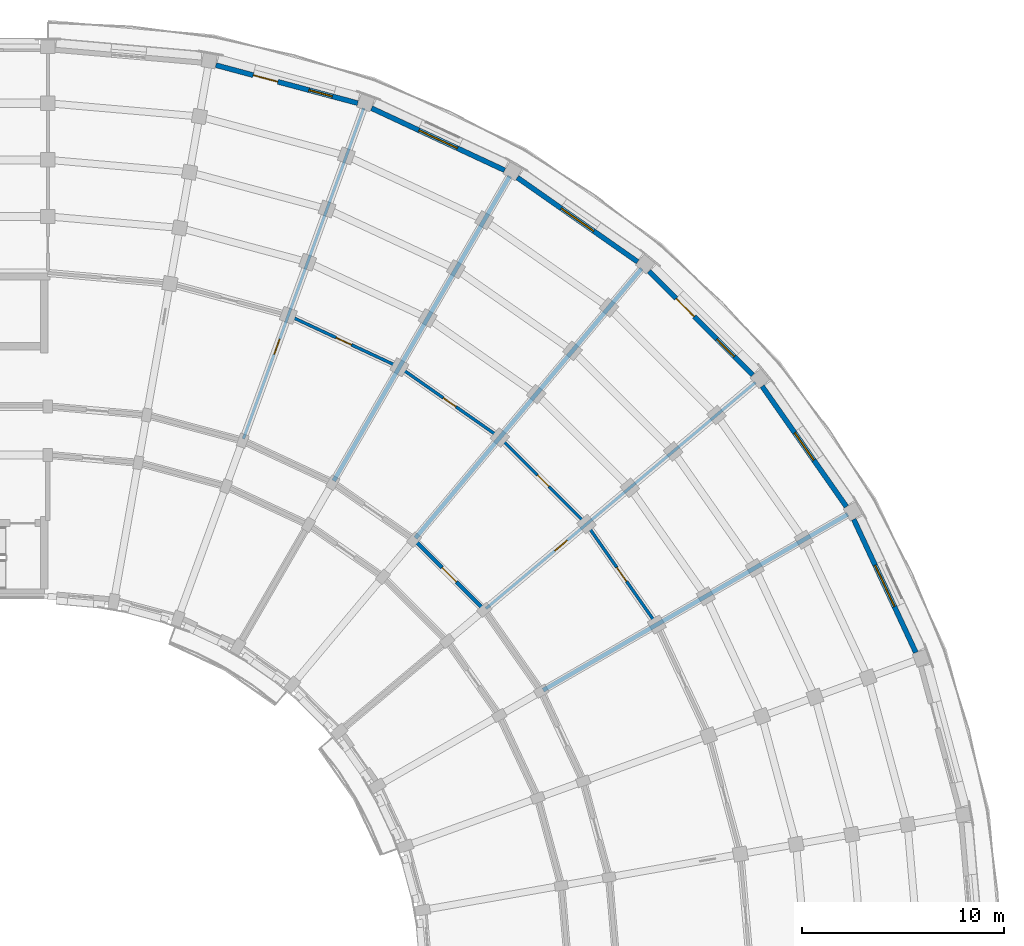
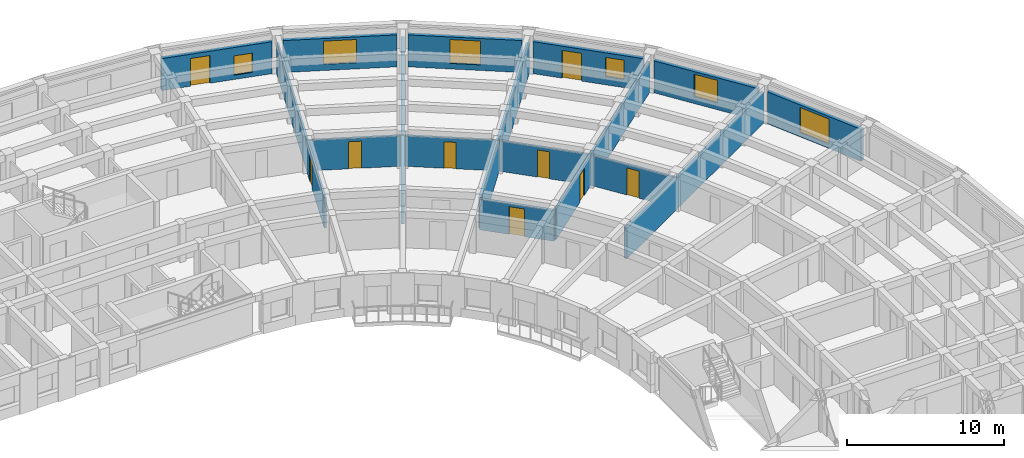
# One storey, part 36 of 54: 16 walls, 9 doors, 6 windows, 15 openings.
"""IFC4 building model written with IfcOpenShell, lengths in metres."""

import ifcopenshell
import ifcopenshell.guid

model = None  # the IFC model being written
_history = None  # IfcOwnerHistory: only IFC2X3 demands one
_inside = {}  # id of a spatial element -> (the spatial element, [elements in it])
_under = {}  # id of a project, library or spatial element -> (it, [spatial elements below it])
_declared = {}  # id of a project -> (the project, [libraries it declares])
_typed = {}  # id of a type object -> (the type object, [elements of that type])
_made_of = {}  # id of a material, layer set ... -> (it, [elements and type objects made of it])


def new_model(schema):
    """Start an empty IFC model of exactly this schema.

    Asked for "IFC4X3", IfcOpenShell would pick the latest addendum, in which some entities
    have other attributes; the version numbers below select the first issue.
    IFC2X3 requires an IfcOwnerHistory on every rooted entity: one is made here for all.
    """
    global model, _history
    if schema == "IFC4X3":
        model = ifcopenshell.file(schema_version=(4, 3, 0, 0))
    else:
        model = ifcopenshell.file(schema=schema)
    _inside.clear()
    _under.clear()
    _declared.clear()
    _typed.clear()
    _made_of.clear()
    _history = None
    if model.schema == "IFC2X3":
        org = make("IfcOrganization", Name="unknown")
        user = make(
            "IfcPersonAndOrganization",
            ThePerson=make("IfcPerson", FamilyName="unknown"),
            TheOrganization=org,
        )
        app = make(
            "IfcApplication",
            ApplicationDeveloper=org,
            Version="unknown",
            ApplicationFullName="unknown",
            ApplicationIdentifier="unknown",
        )
        _history = make(
            "IfcOwnerHistory",
            OwningUser=user,
            OwningApplication=app,
            ChangeAction="ADDED",
            CreationDate=0,
        )
    return model


def make(cls, **values):
    """One entity of the class cls with the attributes given. An attribute that is None is left unset."""
    return model.create_entity(
        cls, **{name: value for name, value in values.items() if value is not None}
    )


def rooted(cls, **values):
    """An entity with a GlobalId (a new one), such as an element, a storey or a relation."""
    return make(cls, GlobalId=ifcopenshell.guid.new(), OwnerHistory=_history, **values)


def si_unit(unit_type, name, prefix=None):
    """IfcSIUnit, for example si_unit("LENGTHUNIT", "METRE", prefix="MILLI")."""
    return make("IfcSIUnit", UnitType=unit_type, Prefix=prefix, Name=name)


def assignment(units):
    """IfcUnitAssignment: the units of a project."""
    return None if units is None else make("IfcUnitAssignment", Units=units)


def point(xyz):
    """IfcCartesianPoint."""
    return None if xyz is None else make("IfcCartesianPoint", Coordinates=xyz)


def direction(xyz):
    """IfcDirection."""
    return None if xyz is None else make("IfcDirection", DirectionRatios=xyz)


def frame(location, z_axis=None, x_axis=None):
    """IfcAxis2Placement3D, a coordinate frame: its origin and axes. An axis left out is left unset."""
    return make(
        "IfcAxis2Placement3D",
        Location=point(location),
        Axis=direction(z_axis),
        RefDirection=direction(x_axis),
    )


def frame_2d(location, x_axis=None):
    """IfcAxis2Placement2D, a coordinate frame in the plane: its origin and x axis."""
    return make(
        "IfcAxis2Placement2D", Location=point(location), RefDirection=direction(x_axis)
    )


def origin():
    """The frame at (0, 0, 0) with its axes left unset."""
    return frame((0.0, 0.0, 0.0))


def place(relative_to, where):
    """IfcLocalPlacement: puts the frame where relative to a parent placement (None: the world)."""
    return make(
        "IfcLocalPlacement", PlacementRelTo=relative_to, RelativePlacement=where
    )


def context(
    kind, dimensions, precision=None, world=None, true_north=None, identifier=None
):
    """IfcGeometricRepresentationContext, for example the 3D "Model" context."""
    return make(
        "IfcGeometricRepresentationContext",
        ContextIdentifier=identifier,
        ContextType=kind,
        CoordinateSpaceDimension=dimensions,
        Precision=precision,
        WorldCoordinateSystem=world,
        TrueNorth=true_north,
    )


def subcontext(parent, identifier, kind, view, scale=None):
    """IfcGeometricRepresentationSubContext, for example "Body" below "Model"."""
    return make(
        "IfcGeometricRepresentationSubContext",
        ContextIdentifier=identifier,
        ContextType=kind,
        ParentContext=parent,
        TargetScale=scale,
        TargetView=view,
    )


def project(units=None, contexts=None):
    """IfcProject with its units and contexts."""
    return rooted(
        "IfcProject",
        Name="project",
        RepresentationContexts=contexts,
        UnitsInContext=assignment(units),
    )


def spatial(cls, under=None, at=None, **own):
    """A site, building, storey or space (cls), placed at a placement, below another one or the project."""
    s = rooted(cls, ObjectPlacement=at, **own)
    if under is not None:
        _under.setdefault(under.id(), (under, []))[1].append(s)
    return s


def profile(cls, at=None, kind="AREA", **sizes):
    """A parametric profile (cls). Its sizes go by their IFC names, for example OverallWidth=200.0."""
    return make(cls, ProfileType=kind, Position=at, **sizes)


def rectangle(**sizes):
    """IfcRectangleProfileDef."""
    return profile("IfcRectangleProfileDef", **sizes)


def extrude(swept, where, along, depth):
    """IfcExtrudedAreaSolid: the profile swept, set in the frame where, extruded along a direction by depth."""
    return make(
        "IfcExtrudedAreaSolid",
        SweptArea=swept,
        Position=where,
        ExtrudedDirection=direction(along),
        Depth=depth,
    )


def shape(context_of_items, identifier, shape_type, items):
    """IfcShapeRepresentation: the items that make up one representation, for example the "Body"."""
    return make(
        "IfcShapeRepresentation",
        ContextOfItems=context_of_items,
        RepresentationIdentifier=identifier,
        RepresentationType=shape_type,
        Items=items,
    )


def material(Name=None, Category=None):
    """IfcMaterial."""
    return make("IfcMaterial", Name=Name, Category=Category)


def layer(
    of_material, thickness, ventilated=None, Name=None, Category=None, Priority=None
):
    """IfcMaterialLayer: one layer of a wall or slab, of a material (None: an air gap)."""
    return make(
        "IfcMaterialLayer",
        Material=of_material,
        LayerThickness=thickness,
        IsVentilated=ventilated,
        Name=Name,
        Category=Category,
        Priority=Priority,
    )


def layer_set(layers, Name=None):
    """IfcMaterialLayerSet."""
    return make("IfcMaterialLayerSet", MaterialLayers=layers, LayerSetName=Name)


def made_of(thing, what):
    """Note that an element or type object is made of a material, layer set ...; save() writes the relation."""
    if what is not None:
        _made_of.setdefault(what.id(), (what, []))[1].append(thing)
    return thing


def type_object(cls, material=None, **own):
    """A type object (cls), such as IfcWallType, which elements share."""
    return made_of(rooted(cls, **own), material)


def element(
    cls,
    number,
    at=None,
    inside=None,
    cuts=None,
    type_object=None,
    material=None,
    context=None,
    identifier="Body",
    shape_type=None,
    held_by="IfcProductDefinitionShape",
    body=None,
    shapes=None,
    **own,
):
    """One element of the class cls, such as IfcWall. Its Tag is "e" and its number.

    at: its placement. inside: the storey or other place that contains it. cuts: it is an
    opening in that element (IfcRelVoidsElement). A single representation is given by context,
    identifier, shape_type and body (its items); several are given by shapes. held_by: the class
    of the entity that holds the representations. save() writes the other relations.
    """
    e = rooted(cls, Tag="e%d" % number, ObjectPlacement=at, **own)
    if body is not None:
        shapes = [shape(context, identifier, shape_type, body)]
    if shapes is not None:
        e.Representation = make(held_by, Representations=shapes)
    if inside is not None:
        _inside.setdefault(inside.id(), (inside, []))[1].append(e)
    if cuts is not None:
        rooted(
            "IfcRelVoidsElement", RelatingBuildingElement=cuts, RelatedOpeningElement=e
        )
    if type_object is not None:
        _typed.setdefault(type_object.id(), (type_object, []))[1].append(e)
    return made_of(e, material)


def fill(opening, filler):
    """IfcRelFillsElement: the door or window that sits in an opening."""
    return rooted(
        "IfcRelFillsElement",
        RelatingOpeningElement=opening,
        RelatedBuildingElement=filler,
    )


def aggregate(whole, parts):
    """IfcRelAggregates: a whole, such as a stair, and the parts it consists of."""
    return rooted("IfcRelAggregates", RelatingObject=whole, RelatedObjects=parts)


def save(model, path):
    """Write the relations noted so far, then the file.

    IfcRelAggregates (storeys below a building ...), IfcRelContainedInSpatialStructure (elements
    in a storey), IfcRelDefinesByType, IfcRelAssociatesMaterial and IfcRelDeclares: one each for
    every whole, place, type object, material and project.
    """
    for whole, parts in _under.values():
        aggregate(whole, parts)
    for where, things in _inside.values():
        rooted(
            "IfcRelContainedInSpatialStructure",
            RelatedElements=things,
            RelatingStructure=where,
        )
    for kind, things in _typed.values():
        rooted("IfcRelDefinesByType", RelatedObjects=things, RelatingType=kind)
    for what, things in _made_of.values():
        rooted("IfcRelAssociatesMaterial", RelatedObjects=things, RelatingMaterial=what)
    for by, libraries in _declared.values():
        rooted("IfcRelDeclares", RelatingContext=by, RelatedDefinitions=libraries)
    model.write(path)


model = new_model("IFC4")

# Units and contexts
model_context = context("Model", 3, precision=1e-05, world=origin(), true_north=direction((0.0, 1.0)))
body_context = subcontext(model_context, "Body", "Model", "MODEL_VIEW")
ifc_project = project(units=[si_unit("LENGTHUNIT", "METRE"), si_unit("AREAUNIT", "SQUARE_METRE"), si_unit("VOLUMEUNIT", "CUBIC_METRE"), si_unit("PLANEANGLEUNIT", "RADIAN"), si_unit("MASSUNIT", "GRAM", prefix="KILO")], contexts=[model_context])

# Site, building, storey
site_placement = place(None, origin())
site = spatial("IfcSite", under=ifc_project, at=site_placement, CompositionType="ELEMENT")
building_placement = place(site_placement, origin())
building = spatial("IfcBuilding", under=site, at=building_placement, Name="Kiranvali Square Residences", CompositionType="ELEMENT")
storey_placement = place(building_placement, frame((0.0, 0.0, 27.60009765625)))
storey = spatial("IfcBuildingStorey", under=building, at=storey_placement, Name="L08", CompositionType="ELEMENT", Elevation=27.60009765625)

# Wall, opening, door
ifc_material_1 = material(Name="Autoclaved aerated concrete blockwork masonry", Category="masonry")
ifc_layer_1 = layer(ifc_material_1, 0.199951171875)
ifc_layer_set_1 = layer_set([ifc_layer_1], Name="Autoclaved aerated concrete blockwork masonry")
wall_type_1 = type_object("IfcWallType", Name="WL-COR-200", PredefinedType="STANDARD", material=ifc_layer_set_1)
wall_1_placement = place(storey_placement, frame((137.926513671875, 109.40234375, 0.0), z_axis=(0.0, 0.0, 1.0), x_axis=(0.707106781187, -0.707106781187, 0.0)))
wall_1 = element("IfcWall", 1, at=wall_1_placement, inside=storey, type_object=wall_type_1, Name="L08 architectural wall WL-L08-B-CCO-4", PredefinedType="STANDARD", context=body_context, shape_type="SweptSolid", body=[
    extrude(rectangle(XDim=4.91552734375, YDim=0.199951171875, at=frame_2d((2.457763671875, 0.0))), origin(), (0.0, 0.0, 1.0), 2.371826171875),
])
opening_1_placement = place(wall_1_placement, frame((1.957763671875, 0.0, 0.0)))
opening_1 = element("IfcOpeningElement", 2, at=opening_1_placement, cuts=wall_1, Name="Opening FD-APT-60", PredefinedType="OPENING", context=body_context, shape_type="SweptSolid", body=[
    extrude(rectangle(XDim=1.0, YDim=2.14990234375, at=frame_2d((0.5, 1.074951171875))), frame((0.0, 0.10986328125, 0.0), z_axis=(0.0, -1.0, 0.0), x_axis=(1.0, 0.0, 0.0)), (0.0, 0.0, 1.0), 0.219970703125),
])
ifc_material_2 = material(Name="Fire-rated acoustic hardwood and mineral-core door assembly", Category="wood")
door_type_1 = type_object("IfcDoorType", Name="DR-APT-1000", OperationType="NOTDEFINED", PredefinedType="DOOR", material=ifc_material_2)
door_1_placement = place(opening_1_placement, origin())
door_1 = element("IfcDoor", 3, at=door_1_placement, inside=storey, type_object=door_type_1, Name="L08 door DR-L08-1489 (DR-APT-1000)", OperationType="SINGLE_SWING_LEFT", OverallHeight=2.14990234375, OverallWidth=1.0, PredefinedType="DOOR", context=body_context, shape_type="SweptSolid", body=[
    extrude(rectangle(XDim=1.0, YDim=2.14990234375, at=frame_2d((0.5, 1.074951171875))), frame((0.0, 0.02490234375, 0.0), z_axis=(0.0, -1.0, 0.0), x_axis=(1.0, 0.0, 0.0)), (0.0, 0.0, 1.0), 0.050048828125),
])
fill(opening_1, door_1)

# Walls
ifc_layer_2 = layer(ifc_material_1, 0.219970703125)
ifc_layer_set_2 = layer_set([ifc_layer_2], Name="Autoclaved aerated concrete blockwork masonry")
wall_type_2 = type_object("IfcWallType", Name="WL-DEM-220", PredefinedType="STANDARD", material=ifc_layer_set_2)
for number, where, z_axis, x_axis, name in (
    (4, (133.949951171875, 112.30859375, 0.0), (0.0, 0.0, 1.0), (0.499997843263, 0.866026648973, 0.0), "L08 architectural wall WL-L08-B-RADO-3"),
    (5, (137.990966796875, 109.47900390625, 0.0), (0.0, 0.0, 1.0), (0.642784757967, 0.766046835987, 0.0), "L08 architectural wall WL-L08-B-RADO-4"),
    (6, (144.30859375, 101.949951171875, 0.0), (0.0, 0.0, 1.0), (0.866026648973, 0.499997843263, 0.0), "L08 architectural wall WL-L08-B-RADO-6"),
):
    element("IfcWall", number, at=place(storey_placement, frame(where, z_axis=z_axis, x_axis=x_axis)), inside=storey, type_object=wall_type_2, Name=name, PredefinedType="STANDARD", context=body_context, shape_type="SweptSolid", body=[
        extrude(rectangle(XDim=17.419921875, YDim=0.219970703125, at=frame_2d((8.7099609375, 0.0))), origin(), (0.0, 0.0, 1.0), 2.371826171875),
    ])

# Wall, openings, door, window
ifc_material_3 = material(Name="Breathable lime-rendered clay brick masonry", Category="masonry")
ifc_layer_3 = layer(ifc_material_3, 0.25)
ifc_layer_set_3 = layer_set([ifc_layer_3], Name="Breathable lime-rendered clay brick masonry")
wall_type_3 = type_object("IfcWallType", Name="WL-EXT-250", PredefinedType="STANDARD", material=ifc_layer_set_3)
wall_2_placement = place(storey_placement, frame((128.118408203125, 132.883056640625, 0.0), z_axis=(0.0, 0.0, 1.0), x_axis=(0.965930355787, -0.258802140196, 0.0)))
wall_2 = element("IfcWall", 7, at=wall_2_placement, inside=storey, type_object=wall_type_3, Name="L08 exterior wall B-L08-CRV-01", PredefinedType="STANDARD", context=body_context, shape_type="SweptSolid", body=[
    extrude(rectangle(XDim=7.2666015625, YDim=0.25, at=frame_2d((3.63330078125, 0.0))), origin(), (0.0, 0.0, 1.0), 2.47998046875),
])
opening_2_placement = place(wall_2_placement, frame((4.765625, 0.0, 0.330078125)))
opening_2 = element("IfcOpeningElement", 8, at=opening_2_placement, cuts=wall_2, Name="Opening W-06", PredefinedType="OPENING", context=body_context, shape_type="SweptSolid", body=[
    extrude(rectangle(XDim=1.199951171875, YDim=1.5, at=frame_2d((0.60009765625, 0.75))), frame((0.0, 0.135009765625, 0.0), z_axis=(0.0, -1.0, 0.0), x_axis=(1.0, 0.0, 0.0)), (0.0, 0.0, 1.0), 0.27001953125),
])
opening_3_placement = place(wall_2_placement, frame((1.913330078125, 0.0, 0.0)))
opening_3 = element("IfcOpeningElement", 9, at=opening_3_placement, cuts=wall_2, Name="Opening ED-BAL-2", PredefinedType="OPENING", context=body_context, shape_type="SweptSolid", body=[
    extrude(rectangle(XDim=1.260009765625, YDim=2.14990234375, at=frame_2d((0.6298828125, 1.074951171875))), frame((0.0, 0.135009765625, 0.0), z_axis=(0.0, -1.0, 0.0), x_axis=(1.0, 0.0, 0.0)), (0.0, 0.0, 1.0), 0.27001953125),
])
ifc_material_4 = material(Name="Anodised bronze aluminium framing", Category="aluminium")
door_type_2 = type_object("IfcDoorType", Name="DR-BAL-1260", OperationType="NOTDEFINED", PredefinedType="DOOR", material=ifc_material_4)
door_2_placement = place(opening_3_placement, origin())
door_2 = element("IfcDoor", 10, at=door_2_placement, inside=storey, type_object=door_type_2, Name="L08 balcony terrace door", OperationType="SINGLE_SWING_LEFT", OverallHeight=2.14990234375, OverallWidth=1.260009765625, PredefinedType="DOOR", context=body_context, shape_type="SweptSolid", body=[
    extrude(rectangle(XDim=1.260009765625, YDim=2.14990234375, at=frame_2d((0.6298828125, 1.074951171875))), frame((0.0, 0.02490234375, 0.0), z_axis=(0.0, -1.0, 0.0), x_axis=(1.0, 0.0, 0.0)), (0.0, 0.0, 1.0), 0.050048828125),
])
fill(opening_3, door_2)
ifc_material_5 = material(Name="Solar-control low-e double glazing", Category="glass")
window_type_1 = type_object("IfcWindowType", Name="WIN-RES-1200x1500", PartitioningType="SINGLE_PANEL", PredefinedType="WINDOW", material=ifc_material_5)
window_1_placement = place(opening_2_placement, origin())
window_1 = element("IfcWindow", 11, at=window_1_placement, inside=storey, type_object=window_type_1, Name="L08 recessed window B-L08-CRV-01", OverallHeight=1.5, OverallWidth=1.199951171875, PartitioningType="SINGLE_PANEL", PredefinedType="WINDOW", context=body_context, shape_type="SweptSolid", body=[
    extrude(rectangle(XDim=1.199951171875, YDim=1.5, at=frame_2d((0.60009765625, 0.75))), frame((0.0, 0.030029296875, 0.0), z_axis=(0.0, -1.0, 0.0), x_axis=(1.0, 0.0, 0.0)), (0.0, 0.0, 1.0), 0.06005859375),
])
fill(opening_2, window_1)

# Wall, opening, window
wall_3_placement = place(storey_placement, frame((135.82080078125, 130.753662109375, 0.0), z_axis=(0.0, 0.0, 1.0), x_axis=(0.90630327107, -0.422627946127, 0.0)))
wall_3 = element("IfcWall", 12, at=wall_3_placement, inside=storey, type_object=wall_type_3, Name="L08 exterior wall B-L08-CRV-02", PredefinedType="STANDARD", context=body_context, shape_type="SweptSolid", body=[
    extrude(rectangle(XDim=7.2666015625, YDim=0.25, at=frame_2d((3.63330078125, 0.0))), origin(), (0.0, 0.0, 1.0), 2.47998046875),
])
opening_4_placement = place(wall_3_placement, frame((2.583251953125, 0.0, 0.47998046875)))
opening_4 = element("IfcOpeningElement", 13, at=opening_4_placement, cuts=wall_3, Name="Opening W-03", PredefinedType="OPENING", context=body_context, shape_type="SweptSolid", body=[
    extrude(rectangle(XDim=2.10009765625, YDim=1.800048828125, at=frame_2d((1.050048828125, 0.89990234375))), frame((0.0, 0.135009765625, 0.0), z_axis=(0.0, -1.0, 0.0), x_axis=(1.0, 0.0, 0.0)), (0.0, 0.0, 1.0), 0.27001953125),
])
window_type_2 = type_object("IfcWindowType", Name="WIN-RES-2100x1800", PartitioningType="TRIPLE_PANEL_VERTICAL", PredefinedType="WINDOW", material=ifc_material_5)
window_2_placement = place(opening_4_placement, origin())
window_2 = element("IfcWindow", 14, at=window_2_placement, inside=storey, type_object=window_type_2, Name="L08 recessed window B-L08-CRV-02", OverallHeight=1.800048828125, OverallWidth=2.10009765625, PartitioningType="TRIPLE_PANEL_VERTICAL", PredefinedType="WINDOW", context=body_context, shape_type="SweptSolid", body=[
    extrude(rectangle(XDim=2.10009765625, YDim=1.800048828125, at=frame_2d((1.050048828125, 0.89990234375))), frame((0.0, 0.030029296875, 0.0), z_axis=(0.0, -1.0, 0.0), x_axis=(1.0, 0.0, 0.0)), (0.0, 0.0, 1.0), 0.06005859375),
])
fill(opening_4, window_2)

wall_4_placement = place(storey_placement, frame((143.0361328125, 127.319091796875, 0.0), z_axis=(0.0, 0.0, 1.0), x_axis=(0.819159308599, -0.573566061701, 0.0)))
wall_4 = element("IfcWall", 15, at=wall_4_placement, inside=storey, type_object=wall_type_3, Name="L08 exterior wall B-L08-CRV-03", PredefinedType="STANDARD", context=body_context, shape_type="SweptSolid", body=[
    extrude(rectangle(XDim=7.266845703125, YDim=0.25, at=frame_2d((3.63330078125, 0.0))), origin(), (0.0, 0.0, 1.0), 2.47998046875),
])
opening_5_placement = place(wall_4_placement, frame((2.658203125, 0.0, 0.429931640625)))
opening_5 = element("IfcOpeningElement", 16, at=opening_5_placement, cuts=wall_4, Name="Opening W-12", PredefinedType="OPENING", context=body_context, shape_type="SweptSolid", body=[
    extrude(rectangle(XDim=1.949951171875, YDim=1.85009765625, at=frame_2d((0.97509765625, 0.925048828125))), frame((0.0, 0.135009765625, 0.0), z_axis=(0.0, -1.0, 0.0), x_axis=(1.0, 0.0, 0.0)), (0.0, 0.0, 1.0), 0.27001953125),
])
window_type_3 = type_object("IfcWindowType", Name="WIN-RES-1950x1850", PartitioningType="DOUBLE_PANEL_VERTICAL", PredefinedType="WINDOW", material=ifc_material_5)
window_3_placement = place(opening_5_placement, origin())
window_3 = element("IfcWindow", 17, at=window_3_placement, inside=storey, type_object=window_type_3, Name="L08 recessed window B-L08-CRV-03", OverallHeight=1.85009765625, OverallWidth=1.949951171875, PartitioningType="DOUBLE_PANEL_VERTICAL", PredefinedType="WINDOW", context=body_context, shape_type="SweptSolid", body=[
    extrude(rectangle(XDim=1.949951171875, YDim=1.85009765625, at=frame_2d((0.97509765625, 0.925048828125))), frame((0.0, 0.030029296875, 0.0), z_axis=(0.0, -1.0, 0.0), x_axis=(1.0, 0.0, 0.0)), (0.0, 0.0, 1.0), 0.06005859375),
])
fill(opening_5, window_3)

# Wall, openings, door, window
wall_5_placement = place(storey_placement, frame((149.545654296875, 122.683837890625, 0.0), z_axis=(0.0, 0.0, 1.0), x_axis=(0.707106781187, -0.707106781187, 0.0)))
wall_5 = element("IfcWall", 18, at=wall_5_placement, inside=storey, type_object=wall_type_3, Name="L08 exterior wall B-L08-CRV-04", PredefinedType="STANDARD", context=body_context, shape_type="SweptSolid", body=[
    extrude(rectangle(XDim=7.2666015625, YDim=0.25, at=frame_2d((3.63330078125, 0.0))), origin(), (0.0, 0.0, 1.0), 2.47998046875),
])
opening_6_placement = place(wall_5_placement, frame((4.765625, 0.0, 0.6298828125)))
opening_6 = element("IfcOpeningElement", 19, at=opening_6_placement, cuts=wall_5, Name="Opening W-06", PredefinedType="OPENING", context=body_context, shape_type="SweptSolid", body=[
    extrude(rectangle(XDim=1.199951171875, YDim=1.5, at=frame_2d((0.60009765625, 0.75))), frame((0.0, 0.135009765625, 0.0), z_axis=(0.0, -1.0, 0.0), x_axis=(1.0, 0.0, 0.0)), (0.0, 0.0, 1.0), 0.27001953125),
])
opening_7_placement = place(wall_5_placement, frame((1.913330078125, 0.0, 0.0)))
opening_7 = element("IfcOpeningElement", 20, at=opening_7_placement, cuts=wall_5, Name="Opening ED-BAL-2", PredefinedType="OPENING", context=body_context, shape_type="SweptSolid", body=[
    extrude(rectangle(XDim=1.260009765625, YDim=2.14990234375, at=frame_2d((0.6298828125, 1.074951171875))), frame((0.0, 0.135009765625, 0.0), z_axis=(0.0, -1.0, 0.0), x_axis=(1.0, 0.0, 0.0)), (0.0, 0.0, 1.0), 0.27001953125),
])
door_3_placement = place(opening_7_placement, origin())
door_3 = element("IfcDoor", 21, at=door_3_placement, inside=storey, type_object=door_type_2, Name="L08 balcony terrace door", OperationType="SINGLE_SWING_RIGHT", OverallHeight=2.14990234375, OverallWidth=1.260009765625, PredefinedType="DOOR", context=body_context, shape_type="SweptSolid", body=[
    extrude(rectangle(XDim=1.260009765625, YDim=2.14990234375, at=frame_2d((0.6298828125, 1.074951171875))), frame((0.0, 0.02490234375, 0.0), z_axis=(0.0, -1.0, 0.0), x_axis=(1.0, 0.0, 0.0)), (0.0, 0.0, 1.0), 0.050048828125),
])
fill(opening_7, door_3)
window_4_placement = place(opening_6_placement, origin())
window_4 = element("IfcWindow", 22, at=window_4_placement, inside=storey, type_object=window_type_1, Name="L08 recessed window B-L08-CRV-04", OverallHeight=1.5, OverallWidth=1.199951171875, PartitioningType="SINGLE_PANEL", PredefinedType="WINDOW", context=body_context, shape_type="SweptSolid", body=[
    extrude(rectangle(XDim=1.199951171875, YDim=1.5, at=frame_2d((0.60009765625, 0.75))), frame((0.0, 0.030029296875, 0.0), z_axis=(0.0, -1.0, 0.0), x_axis=(1.0, 0.0, 0.0)), (0.0, 0.0, 1.0), 0.06005859375),
])
fill(opening_6, window_4)

# Wall, opening, window
wall_6_placement = place(storey_placement, frame((155.151123046875, 116.98876953125, 0.0), z_axis=(0.0, 0.0, 1.0), x_axis=(0.573566061701, -0.819159308599, 0.0)))
wall_6 = element("IfcWall", 23, at=wall_6_placement, inside=storey, type_object=wall_type_3, Name="L08 exterior wall B-L08-CRV-05", PredefinedType="STANDARD", context=body_context, shape_type="SweptSolid", body=[
    extrude(rectangle(XDim=7.266845703125, YDim=0.25, at=frame_2d((3.63330078125, 0.0))), origin(), (0.0, 0.0, 1.0), 2.47998046875),
])
opening_8_placement = place(wall_6_placement, frame((2.808349609375, 0.0, 0.530029296875)))
opening_8 = element("IfcOpeningElement", 24, at=opening_8_placement, cuts=wall_6, Name="Opening W-13", PredefinedType="OPENING", context=body_context, shape_type="SweptSolid", body=[
    extrude(rectangle(XDim=1.64990234375, YDim=1.75, at=frame_2d((0.824951171875, 0.875))), frame((0.0, 0.135009765625, 0.0), z_axis=(0.0, -1.0, 0.0), x_axis=(1.0, 0.0, 0.0)), (0.0, 0.0, 1.0), 0.27001953125),
])
window_type_4 = type_object("IfcWindowType", Name="WIN-RES-1650x1750", PartitioningType="DOUBLE_PANEL_VERTICAL", PredefinedType="WINDOW", material=ifc_material_5)
window_5_placement = place(opening_8_placement, origin())
window_5 = element("IfcWindow", 25, at=window_5_placement, inside=storey, type_object=window_type_4, Name="L08 recessed window B-L08-CRV-05", OverallHeight=1.75, OverallWidth=1.64990234375, PartitioningType="DOUBLE_PANEL_VERTICAL", PredefinedType="WINDOW", context=body_context, shape_type="SweptSolid", body=[
    extrude(rectangle(XDim=1.64990234375, YDim=1.75, at=frame_2d((0.824951171875, 0.875))), frame((0.0, 0.030029296875, 0.0), z_axis=(0.0, -1.0, 0.0), x_axis=(1.0, 0.0, 0.0)), (0.0, 0.0, 1.0), 0.06005859375),
])
fill(opening_8, window_5)

wall_7_placement = place(storey_placement, frame((159.6826171875, 110.406494140625, 0.0), z_axis=(0.0, 0.0, 1.0), x_axis=(0.422627946127, -0.90630327107, 0.0)))
wall_7 = element("IfcWall", 26, at=wall_7_placement, inside=storey, type_object=wall_type_3, Name="L08 exterior wall B-L08-CRV-06", PredefinedType="STANDARD", context=body_context, shape_type="SweptSolid", body=[
    extrude(rectangle(XDim=7.2666015625, YDim=0.25, at=frame_2d((3.63330078125, 0.0))), origin(), (0.0, 0.0, 1.0), 2.47998046875),
])
opening_9_placement = place(wall_7_placement, frame((2.50830078125, 0.0, 0.330078125)))
opening_9 = element("IfcOpeningElement", 27, at=opening_9_placement, cuts=wall_7, Name="Opening W-11", PredefinedType="OPENING", context=body_context, shape_type="SweptSolid", body=[
    extrude(rectangle(XDim=2.25, YDim=1.949951171875, at=frame_2d((1.125, 0.97509765625))), frame((0.0, 0.135009765625, 0.0), z_axis=(0.0, -1.0, 0.0), x_axis=(1.0, 0.0, 0.0)), (0.0, 0.0, 1.0), 0.27001953125),
])
window_type_5 = type_object("IfcWindowType", Name="WIN-RES-2250x1950", PartitioningType="TRIPLE_PANEL_VERTICAL", PredefinedType="WINDOW", material=ifc_material_5)
window_6_placement = place(opening_9_placement, origin())
window_6 = element("IfcWindow", 28, at=window_6_placement, inside=storey, type_object=window_type_5, Name="L08 recessed window B-L08-CRV-06", OverallHeight=1.949951171875, OverallWidth=2.25, PartitioningType="TRIPLE_PANEL_VERTICAL", PredefinedType="WINDOW", context=body_context, shape_type="SweptSolid", body=[
    extrude(rectangle(XDim=2.25, YDim=1.949951171875, at=frame_2d((1.125, 0.97509765625))), frame((0.0, 0.030029296875, 0.0), z_axis=(0.0, -1.0, 0.0), x_axis=(1.0, 0.0, 0.0)), (0.0, 0.0, 1.0), 0.06005859375),
])
fill(opening_9, window_6)

# Wall, opening, door
ifc_material_6 = material(Name="Acoustic gypsum board drylined partition", Category="gypsum")
ifc_layer_4 = layer(ifc_material_6, 0.14990234375)
ifc_layer_set_4 = layer_set([ifc_layer_4], Name="Acoustic gypsum board drylined partition")
wall_type_4 = type_object("IfcWallType", Name="WL-PRT-150", PredefinedType="PARTITIONING", material=ifc_layer_set_4)
wall_8_placement = place(storey_placement, frame((129.479248046875, 114.393310546875, 0.0), z_axis=(0.0, 0.0, 1.0), x_axis=(0.342022120477, 0.939691901159, 0.0)))
wall_8 = element("IfcWall", 29, at=wall_8_placement, inside=storey, type_object=wall_type_4, Name="L08 architectural wall WL-L08-B-RADO-2", PredefinedType="PARTITIONING", context=body_context, shape_type="SweptSolid", body=[
    extrude(rectangle(XDim=17.419921875, YDim=0.14990234375, at=frame_2d((8.7099609375, 0.0))), origin(), (0.0, 0.0, 1.0), 2.371826171875),
])
opening_10_placement = place(wall_8_placement, frame((4.44970703125, 0.0, 0.0)))
opening_10 = element("IfcOpeningElement", 30, at=opening_10_placement, cuts=wall_8, Name="Opening ID-WET", PredefinedType="OPENING", context=body_context, shape_type="SweptSolid", body=[
    extrude(rectangle(XDim=0.800048828125, YDim=2.10009765625, at=frame_2d((0.39990234375, 1.050048828125))), frame((0.0, 0.0849609375, 0.0), z_axis=(0.0, -1.0, 0.0), x_axis=(1.0, 0.0, 0.0)), (0.0, 0.0, 1.0), 0.169921875),
])
ifc_material_7 = material(Name="Solid seasoned teak hardwood joinery", Category="wood")
door_type_3 = type_object("IfcDoorType", Name="DR-WET-800", OperationType="NOTDEFINED", PredefinedType="DOOR", material=ifc_material_7)
door_4_placement = place(opening_10_placement, frame((0.800048828125, 0.0, 0.0), z_axis=(0.0, 0.0, 1.0), x_axis=(-1.0, 0.0, 0.0)))
door_4 = element("IfcDoor", 31, at=door_4_placement, inside=storey, type_object=door_type_3, Name="L08 door DR-L08-1480 (DR-WET-800)", OperationType="SINGLE_SWING_RIGHT", OverallHeight=2.10009765625, OverallWidth=0.800048828125, PredefinedType="DOOR", context=body_context, shape_type="SweptSolid", body=[
    extrude(rectangle(XDim=0.800048828125, YDim=2.10009765625, at=frame_2d((0.39990234375, 1.050048828125))), frame((0.0, 0.02490234375, 0.0), z_axis=(0.0, -1.0, 0.0), x_axis=(1.0, 0.0, 0.0)), (0.0, 0.0, 1.0), 0.050048828125),
])
fill(opening_10, door_4)

wall_9_placement = place(storey_placement, frame((141.47900390625, 105.990966796875, 0.0), z_axis=(0.0, 0.0, 1.0), x_axis=(0.766046835987, 0.642784757967, 0.0)))
wall_9 = element("IfcWall", 32, at=wall_9_placement, inside=storey, type_object=wall_type_4, Name="L08 architectural wall WL-L08-B-RADO-5", PredefinedType="PARTITIONING", context=body_context, shape_type="SweptSolid", body=[
    extrude(rectangle(XDim=17.419921875, YDim=0.14990234375, at=frame_2d((8.7099609375, 0.0))), origin(), (0.0, 0.0, 1.0), 2.371826171875),
])
opening_11_placement = place(wall_9_placement, frame((4.44970703125, 0.0, 0.0)))
opening_11 = element("IfcOpeningElement", 33, at=opening_11_placement, cuts=wall_9, Name="Opening ID-WET", PredefinedType="OPENING", context=body_context, shape_type="SweptSolid", body=[
    extrude(rectangle(XDim=0.800048828125, YDim=2.10009765625, at=frame_2d((0.39990234375, 1.050048828125))), frame((0.0, 0.0849609375, 0.0), z_axis=(0.0, -1.0, 0.0), x_axis=(1.0, 0.0, 0.0)), (0.0, 0.0, 1.0), 0.169921875),
])
door_5_placement = place(opening_11_placement, origin())
door_5 = element("IfcDoor", 34, at=door_5_placement, inside=storey, type_object=door_type_3, Name="L08 door DR-L08-1481 (DR-WET-800)", OperationType="SINGLE_SWING_LEFT", OverallHeight=2.10009765625, OverallWidth=0.800048828125, PredefinedType="DOOR", context=body_context, shape_type="SweptSolid", body=[
    extrude(rectangle(XDim=0.800048828125, YDim=2.10009765625, at=frame_2d((0.39990234375, 1.050048828125))), frame((0.0, 0.02490234375, 0.0), z_axis=(0.0, -1.0, 0.0), x_axis=(1.0, 0.0, 0.0)), (0.0, 0.0, 1.0), 0.050048828125),
])
fill(opening_11, door_5)

ifc_layer_5 = layer(ifc_material_1, 0.14990234375)
ifc_layer_set_5 = layer_set([ifc_layer_5], Name="Autoclaved aerated concrete blockwork masonry")
wall_type_5 = type_object("IfcWallType", Name="WL-WET-150", PredefinedType="PLUMBINGWALL", material=ifc_layer_set_5)
wall_10_placement = place(storey_placement, frame((131.702392578125, 120.501220703125, 0.0), z_axis=(0.0, 0.0, 1.0), x_axis=(0.906312656069, -0.42260781991, 0.0)))
wall_10 = element("IfcWall", 35, at=wall_10_placement, inside=storey, type_object=wall_type_5, Name="L08 architectural wall WL-L08-B-CWET-2", PredefinedType="PLUMBINGWALL", context=body_context, shape_type="SweptSolid", body=[
    extrude(rectangle(XDim=6.06591796875, YDim=0.14990234375, at=frame_2d((3.032958984375, 0.0))), origin(), (0.0, 0.0, 1.0), 2.371826171875),
])
opening_12_placement = place(wall_10_placement, frame((2.613037109375, 0.0, 0.0)))
opening_12 = element("IfcOpeningElement", 36, at=opening_12_placement, cuts=wall_10, Name="Opening ID-WET2", PredefinedType="OPENING", context=body_context, shape_type="SweptSolid", body=[
    extrude(rectangle(XDim=0.840087890625, YDim=2.10009765625, at=frame_2d((0.419921875, 1.050048828125))), frame((0.0, 0.0849609375, 0.0), z_axis=(0.0, -1.0, 0.0), x_axis=(1.0, 0.0, 0.0)), (0.0, 0.0, 1.0), 0.169921875),
])
door_type_4 = type_object("IfcDoorType", Name="DR-WET-840", OperationType="NOTDEFINED", PredefinedType="DOOR", material=ifc_material_7)
door_6_placement = place(opening_12_placement, frame((0.840087890625, 0.0, 0.0), z_axis=(0.0, 0.0, 1.0), x_axis=(-1.0, 0.0, 0.0)))
door_6 = element("IfcDoor", 37, at=door_6_placement, inside=storey, type_object=door_type_4, Name="L08 door DR-L08-1486 (DR-WET-840)", OperationType="SINGLE_SWING_RIGHT", OverallHeight=2.10009765625, OverallWidth=0.840087890625, PredefinedType="DOOR", context=body_context, shape_type="SweptSolid", body=[
    extrude(rectangle(XDim=0.840087890625, YDim=2.10009765625, at=frame_2d((0.419921875, 1.050048828125))), frame((0.0, 0.02490234375, 0.0), z_axis=(0.0, -1.0, 0.0), x_axis=(1.0, 0.0, 0.0)), (0.0, 0.0, 1.0), 0.050048828125),
])
fill(opening_12, door_6)

wall_11_placement = place(storey_placement, frame((137.199951171875, 117.937744140625, 0.0), z_axis=(0.0, 0.0, 1.0), x_axis=(0.81913926159, -0.573594691504, 0.0)))
wall_11 = element("IfcWall", 38, at=wall_11_placement, inside=storey, type_object=wall_type_5, Name="L08 architectural wall WL-L08-B-CWET-3", PredefinedType="PLUMBINGWALL", context=body_context, shape_type="SweptSolid", body=[
    extrude(rectangle(XDim=6.066162109375, YDim=0.14990234375, at=frame_2d((3.033203125, 0.0))), origin(), (0.0, 0.0, 1.0), 2.371826171875),
])
opening_13_placement = place(wall_11_placement, frame((2.653076171875, 0.0, 0.0)))
opening_13 = element("IfcOpeningElement", 39, at=opening_13_placement, cuts=wall_11, Name="Opening ID-WET0", PredefinedType="OPENING", context=body_context, shape_type="SweptSolid", body=[
    extrude(rectangle(XDim=0.760009765625, YDim=2.050048828125, at=frame_2d((0.3798828125, 1.02490234375))), frame((0.0, 0.0849609375, 0.0), z_axis=(0.0, -1.0, 0.0), x_axis=(1.0, 0.0, 0.0)), (0.0, 0.0, 1.0), 0.169921875),
])
door_type_5 = type_object("IfcDoorType", Name="DR-WET-760", OperationType="NOTDEFINED", PredefinedType="DOOR", material=ifc_material_7)
door_7_placement = place(opening_13_placement, frame((0.760009765625, 0.0, 0.0), z_axis=(0.0, 0.0, 1.0), x_axis=(-1.0, 0.0, 0.0)))
door_7 = element("IfcDoor", 40, at=door_7_placement, inside=storey, type_object=door_type_5, Name="L08 door DR-L08-1488 (DR-WET-760)", OperationType="SINGLE_SWING_RIGHT", OverallHeight=2.050048828125, OverallWidth=0.760009765625, PredefinedType="DOOR", context=body_context, shape_type="SweptSolid", body=[
    extrude(rectangle(XDim=0.760009765625, YDim=2.050048828125, at=frame_2d((0.3798828125, 1.02490234375))), frame((0.0, 0.02490234375, 0.0), z_axis=(0.0, -1.0, 0.0), x_axis=(1.0, 0.0, 0.0)), (0.0, 0.0, 1.0), 0.050048828125),
])
fill(opening_13, door_7)

wall_12_placement = place(storey_placement, frame((142.1689453125, 114.458251953125, 0.0), z_axis=(0.0, 0.0, 1.0), x_axis=(0.707106781187, -0.707106781187, 0.0)))
wall_12 = element("IfcWall", 41, at=wall_12_placement, inside=storey, type_object=wall_type_5, Name="L08 architectural wall WL-L08-B-CWET-4", PredefinedType="PLUMBINGWALL", context=body_context, shape_type="SweptSolid", body=[
    extrude(rectangle(XDim=6.06591796875, YDim=0.14990234375, at=frame_2d((3.032958984375, 0.0))), origin(), (0.0, 0.0, 1.0), 2.371826171875),
])
opening_14_placement = place(wall_12_placement, frame((2.633056640625, 0.0, 0.0)))
opening_14 = element("IfcOpeningElement", 42, at=opening_14_placement, cuts=wall_12, Name="Opening ID-WET", PredefinedType="OPENING", context=body_context, shape_type="SweptSolid", body=[
    extrude(rectangle(XDim=0.800048828125, YDim=2.10009765625, at=frame_2d((0.39990234375, 1.050048828125))), frame((0.0, 0.0849609375, 0.0), z_axis=(0.0, -1.0, 0.0), x_axis=(1.0, 0.0, 0.0)), (0.0, 0.0, 1.0), 0.169921875),
])
door_8_placement = place(opening_14_placement, frame((0.800048828125, 0.0, 0.0), z_axis=(0.0, 0.0, 1.0), x_axis=(-1.0, 0.0, 0.0)))
door_8 = element("IfcDoor", 43, at=door_8_placement, inside=storey, type_object=door_type_3, Name="L08 door DR-L08-1490 (DR-WET-800)", OperationType="SINGLE_SWING_RIGHT", OverallHeight=2.10009765625, OverallWidth=0.800048828125, PredefinedType="DOOR", context=body_context, shape_type="SweptSolid", body=[
    extrude(rectangle(XDim=0.800048828125, YDim=2.10009765625, at=frame_2d((0.39990234375, 1.050048828125))), frame((0.0, 0.02490234375, 0.0), z_axis=(0.0, -1.0, 0.0), x_axis=(1.0, 0.0, 0.0)), (0.0, 0.0, 1.0), 0.050048828125),
])
fill(opening_14, door_8)

wall_13_placement = place(storey_placement, frame((146.458251953125, 110.1689453125, 0.0), z_axis=(0.0, 0.0, 1.0), x_axis=(0.573594691504, -0.81913926159, 0.0)))
wall_13 = element("IfcWall", 44, at=wall_13_placement, inside=storey, type_object=wall_type_5, Name="L08 architectural wall WL-L08-B-CWET-5", PredefinedType="PLUMBINGWALL", context=body_context, shape_type="SweptSolid", body=[
    extrude(rectangle(XDim=6.066162109375, YDim=0.14990234375, at=frame_2d((3.033203125, 0.0))), origin(), (0.0, 0.0, 1.0), 2.371826171875),
])
opening_15_placement = place(wall_13_placement, frame((2.613037109375, 0.0, 0.0)))
opening_15 = element("IfcOpeningElement", 45, at=opening_15_placement, cuts=wall_13, Name="Opening ID-WET2", PredefinedType="OPENING", context=body_context, shape_type="SweptSolid", body=[
    extrude(rectangle(XDim=0.840087890625, YDim=2.10009765625, at=frame_2d((0.419921875, 1.050048828125))), frame((0.0, 0.0849609375, 0.0), z_axis=(0.0, -1.0, 0.0), x_axis=(1.0, 0.0, 0.0)), (0.0, 0.0, 1.0), 0.169921875),
])
door_9_placement = place(opening_15_placement, origin())
door_9 = element("IfcDoor", 46, at=door_9_placement, inside=storey, type_object=door_type_4, Name="L08 door DR-L08-1491 (DR-WET-840)", OperationType="SINGLE_SWING_LEFT", OverallHeight=2.10009765625, OverallWidth=0.840087890625, PredefinedType="DOOR", context=body_context, shape_type="SweptSolid", body=[
    extrude(rectangle(XDim=0.840087890625, YDim=2.10009765625, at=frame_2d((0.419921875, 1.050048828125))), frame((0.0, 0.02490234375, 0.0), z_axis=(0.0, -1.0, 0.0), x_axis=(1.0, 0.0, 0.0)), (0.0, 0.0, 1.0), 0.050048828125),
])
fill(opening_15, door_9)

save(model, "model.ifc")
